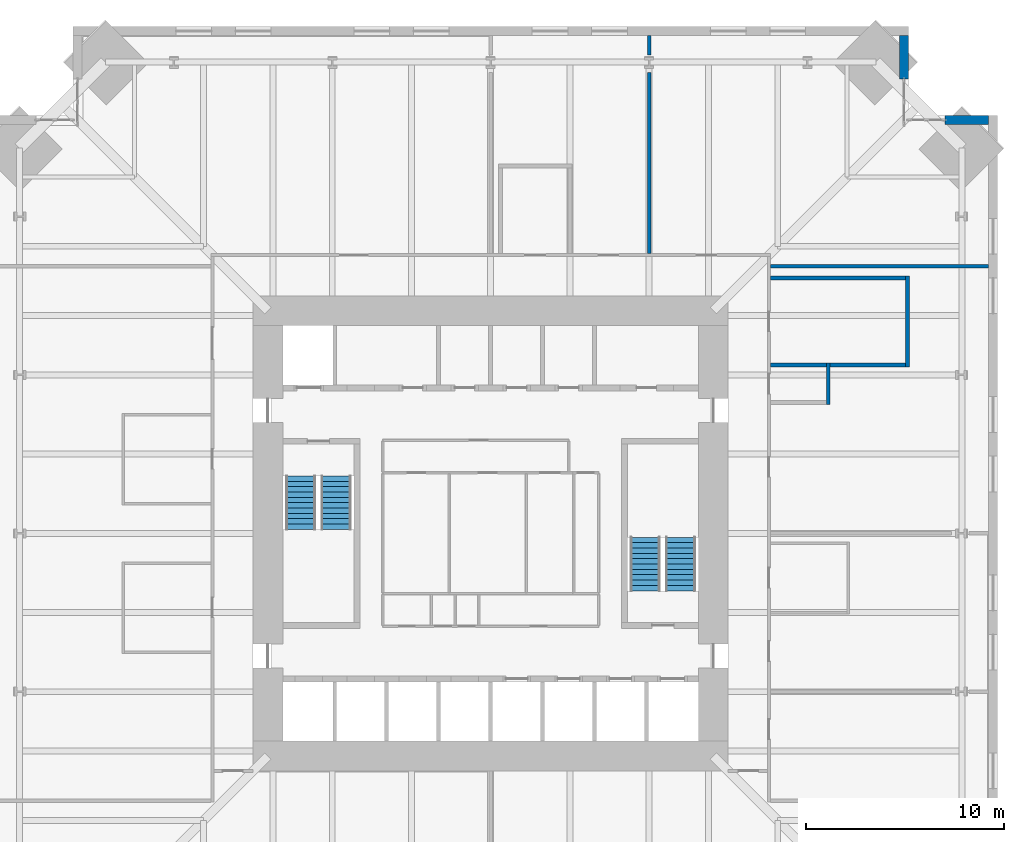
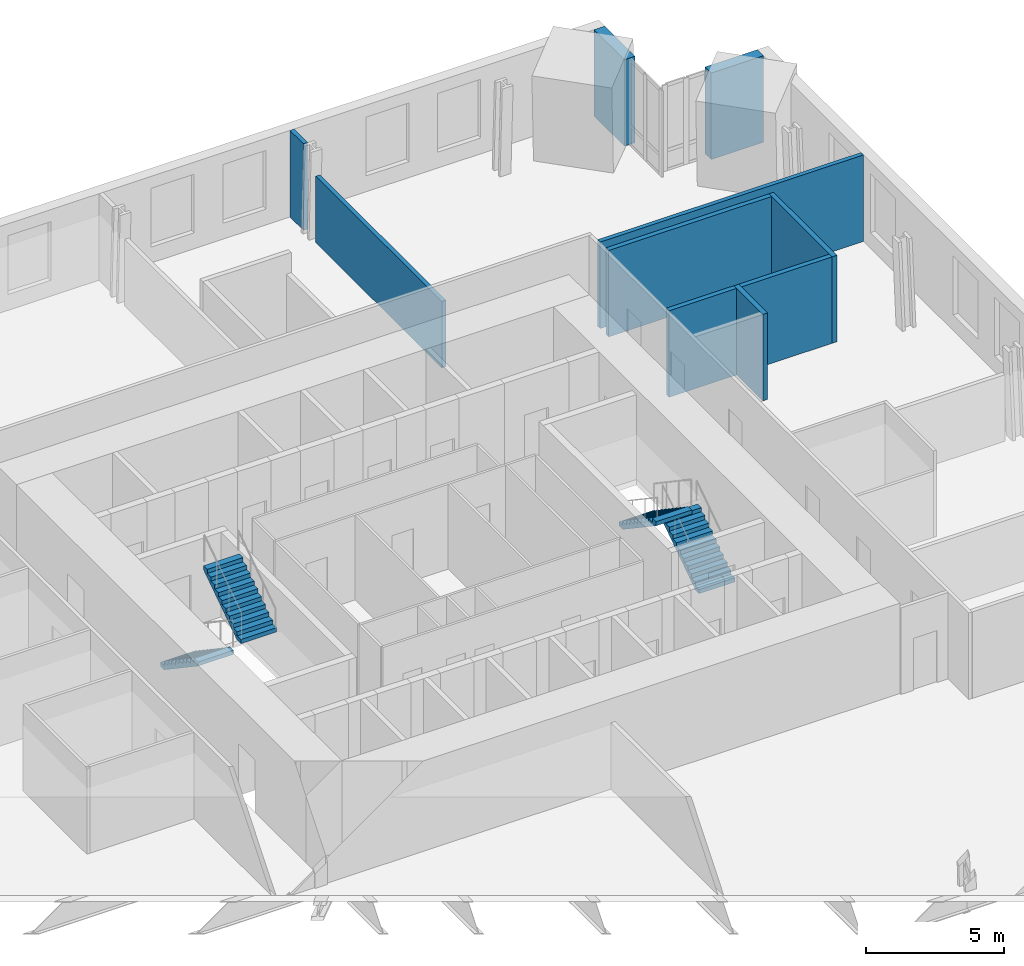
# One storey, part 17 of 18: 9 walls, 4 stair flights, 2 elements without a shape of their own.
"""IFC4 building model written with IfcOpenShell, lengths in metres."""

from ifc_helpers import new_model, si_unit, direction, frame, frame_2d, origin, place, context, subcontext, project, spatial, polyline, rectangle, outline, extrude, material, layer, layer_set, type_object, element, aggregate, save


model = new_model("IFC4")

# Units and contexts
model_context = context("Model", 3, precision=1e-05, world=origin(), true_north=direction((0.0, 1.0)))
body_context = subcontext(model_context, "Body", "Model", "MODEL_VIEW")
ifc_project = project(units=[si_unit("LENGTHUNIT", "METRE"), si_unit("AREAUNIT", "SQUARE_METRE"), si_unit("VOLUMEUNIT", "CUBIC_METRE"), si_unit("PLANEANGLEUNIT", "RADIAN"), si_unit("MASSUNIT", "GRAM", prefix="KILO")], contexts=[model_context])

# Site, building, storey
site_placement = place(None, origin())
site = spatial("IfcSite", under=ifc_project, at=site_placement, CompositionType="ELEMENT")
building_placement = place(site_placement, origin())
building = spatial("IfcBuilding", under=site, at=building_placement, Name="Peilmerk Tower", CompositionType="ELEMENT")
storey_placement = place(building_placement, frame((0.0, 0.0, 175.800048828125)))
storey = spatial("IfcBuildingStorey", under=building, at=storey_placement, Name="L37", CompositionType="ELEMENT", Elevation=175.800048828125)

# Walls
ifc_material_1 = material(Name="Precast concrete C45/55, board-marked finish", Category="concrete")
ifc_layer_1 = layer(ifc_material_1, 0.449951171875)
ifc_layer_set_1 = layer_set([ifc_layer_1], Name="Precast concrete C45/55, board-marked finish")
wall_type_1 = type_object("IfcWallType", Name="EW1 450 precast concrete facade wall, board-marked", PredefinedType="SOLIDWALL", material=ifc_layer_set_1)
for number, where, z_axis, x_axis, name in (
    (1, (20.875, 22.95361328125, 0.0), (0.0, 0.0, 1.0), (0.0, 1.0, 0.0), "Facade wall NEA L37"),
    (2, (22.95361328125, 20.875, 0.0), (0.0, 0.0, 1.0), (1.0, 0.0, 0.0), "Facade wall NEB L37"),
):
    element("IfcWall", number, at=place(storey_placement, frame(where, z_axis=z_axis, x_axis=x_axis)), inside=storey, type_object=wall_type_1, Name=name, PredefinedType="SOLIDWALL", context=body_context, shape_type="SweptSolid", body=[
        extrude(rectangle(XDim=2.1962890625, YDim=0.449951171875, at=frame_2d((1.09814453125, 0.0))), origin(), (0.0, 0.0, 1.0), 3.829833984375),
    ])
ifc_material_2 = material(Name="Calcium silicate block", Category="masonry")
ifc_layer_2 = layer(ifc_material_2, 0.199951171875)
ifc_layer_set_2 = layer_set([ifc_layer_2], Name="Calcium silicate block")
wall_type_2 = type_object("IfcWallType", Name="IW2 200 room separating wall, EI 120", PredefinedType="PARTITIONING", material=ifc_layer_set_2)
wall_1_placement = place(storey_placement, frame((17.050048828125, 6.5, 0.0), z_axis=(0.0, 0.0, 1.0), x_axis=(0.0, 1.0, 0.0)))
element("IfcWall", 3, at=wall_1_placement, inside=storey, type_object=wall_type_2, Name="Room separating wall Ablution room L37", PredefinedType="PARTITIONING", context=body_context, shape_type="SweptSolid", body=[
    extrude(rectangle(XDim=2.10009765625, YDim=0.199951171875, at=frame_2d((1.050048828125, 0.0))), origin(), (0.0, 0.0, 1.0), 3.829833984375),
])
wall_2_placement = place(storey_placement, frame((21.050048828125, 8.39990234375, 0.0), z_axis=(0.0, 0.0, 1.0), x_axis=(0.0, 1.0, 0.0)))
element("IfcWall", 4, at=wall_2_placement, inside=storey, type_object=wall_type_2, Name="Room separating wall Prayer room L37", PredefinedType="PARTITIONING", context=body_context, shape_type="SweptSolid", body=[
    extrude(rectangle(XDim=4.60009765625, YDim=0.199951171875, at=frame_2d((2.300048828125, 0.0))), origin(), (0.0, 0.0, 1.0), 3.829833984375),
])
for number, where, z_axis, x_axis, name in (
    (5, (14.125, 8.5, 0.0), (0.0, 0.0, 1.0), (1.0, 0.0, 0.0), "Room separating wall Prayer room L37"),
    (6, (14.125, 12.89990234375, 0.0), (0.0, 0.0, 1.0), (1.0, 0.0, 0.0), "Room separating wall Prayer room L37"),
):
    element("IfcWall", number, at=place(storey_placement, frame(where, z_axis=z_axis, x_axis=x_axis)), inside=storey, type_object=wall_type_2, Name=name, PredefinedType="PARTITIONING", context=body_context, shape_type="SweptSolid", body=[
        extrude(rectangle(XDim=6.824951171875, YDim=0.199951171875, at=frame_2d((3.41259765625, 0.0))), origin(), (0.0, 0.0, 1.0), 3.829833984375),
    ])
ifc_layer_3 = layer(ifc_material_2, 0.175048828125)
ifc_layer_set_3 = layer_set([ifc_layer_3], Name="Calcium silicate block")
wall_type_3 = type_object("IfcWallType", Name="IW8 175 tenant separating wall, EI 60", PredefinedType="PARTITIONING", material=ifc_layer_set_3)
wall_3_placement = place(storey_placement, frame((14.125, 13.5, 0.0), z_axis=(0.0, 0.0, 1.0), x_axis=(1.0, 0.0, 0.0)))
element("IfcWall", 7, at=wall_3_placement, inside=storey, type_object=wall_type_3, Name="Tenant separating wall NE L37", PredefinedType="PARTITIONING", context=body_context, shape_type="SweptSolid", body=[
    extrude(rectangle(XDim=11.02490234375, YDim=0.175048828125, at=frame_2d((5.512451171875, 0.0))), origin(), (0.0, 0.0, 1.0), 3.829833984375),
])
wall_4_placement = place(storey_placement, frame((8.0, 14.125, 0.0), z_axis=(0.0, 0.0, 1.0), x_axis=(0.0, 1.0, 0.0)))
element("IfcWall", 8, at=wall_4_placement, inside=storey, type_object=wall_type_3, Name="Tenant separating wall N2 L37", PredefinedType="PARTITIONING", context=body_context, shape_type="SweptSolid", body=[
    extrude(rectangle(XDim=9.15771484375, YDim=0.175048828125, at=frame_2d((4.578857421875, 0.0))), origin(), (0.0, 0.0, 1.0), 2.93994140625),
])
wall_5_placement = place(storey_placement, frame((8.0, 24.172119140625, 0.0), z_axis=(0.0, 0.0, 1.0), x_axis=(0.0, 1.0, 0.0)))
element("IfcWall", 9, at=wall_5_placement, inside=storey, type_object=wall_type_3, Name="Tenant separating wall N2b L37", PredefinedType="PARTITIONING", context=body_context, shape_type="SweptSolid", body=[
    extrude(rectangle(XDim=0.977783203125, YDim=0.175048828125, at=frame_2d((0.48876953125, 0.0))), origin(), (0.0, 0.0, 1.0), 3.829833984375),
])

# Stair, stair flights
ifc_material_3 = material(Name="Precast concrete C45/55", Category="concrete")
stair_type_1 = type_object("IfcStairType", Name="ST1 22 risers of 181.8", PredefinedType="HALF_TURN_STAIR", material=ifc_material_3)
stair_1_placement = place(storey_placement, origin())
stair_1 = element("IfcStair", 10, at=stair_1_placement, inside=storey, type_object=stair_type_1, Name="Stair 1 L37 to L38", PredefinedType="HALF_TURN_STAIR")
stair_flight_type = type_object("IfcStairFlightType", Name="SF11 flight, 11 risers of 181.8", PredefinedType="STRAIGHT", material=ifc_material_3)
stair_flight_1_placement = place(storey_placement, frame((-9.60009765625, 2.89990234375, 0.0), z_axis=(0.0, 0.0, 1.0), x_axis=(0.0, -1.0, 0.0)))
stair_flight_1 = element("IfcStairFlight", 11, at=stair_flight_1_placement, type_object=stair_flight_type, Name="ST1 flight 1", NumberOfRisers=11, NumberOfTreads=10, PredefinedType="STRAIGHT", RiserHeight=0.181818182, TreadLength=0.27, context=body_context, shape_type="SweptSolid", body=[
    extrude(outline(polyline([(0.0, 0.0), (0.0, 0.181884765625), (0.27001953125, 0.181884765625), (0.27001953125, 0.363525390625), (0.5400390625, 0.363525390625), (0.5400390625, 0.54541015625), (0.81005859375, 0.54541015625), (0.81005859375, 0.727294921875), (1.080078125, 0.727294921875), (1.080078125, 0.9091796875), (1.35009765625, 0.9091796875), (1.35009765625, 1.0908203125), (1.6201171875, 1.0908203125), (1.6201171875, 1.272705078125), (1.889892578125, 1.272705078125), (1.889892578125, 1.45458984375), (2.159912109375, 1.45458984375), (2.159912109375, 1.636474609375), (2.429931640625, 1.636474609375), (2.429931640625, 1.818115234375), (2.699951171875, 1.818115234375), (2.699951171875, 2.0), (2.699951171875, 1.637451171875), (0.268310546875, 0.0), (0.0, 0.0)])), frame((0.0, 0.75, 0.0), z_axis=(0.0, -1.0, 0.0), x_axis=(1.0, 0.0, 0.0)), (0.0, 0.0, 1.0), 1.5),
])
stair_flight_2_placement = place(storey_placement, frame((-7.800048828125, 0.199951171875, 2.0), z_axis=(0.0, 0.0, 1.0), x_axis=(0.0, 1.0, 0.0)))
stair_flight_2 = element("IfcStairFlight", 12, at=stair_flight_2_placement, type_object=stair_flight_type, Name="ST1 flight 2", NumberOfRisers=11, NumberOfTreads=10, PredefinedType="STRAIGHT", RiserHeight=0.181818182, TreadLength=0.27, context=body_context, shape_type="SweptSolid", body=[
    extrude(outline(polyline([(0.0, 0.0), (0.0, 0.181884765625), (0.27001953125, 0.181884765625), (0.27001953125, 0.363525390625), (0.5400390625, 0.363525390625), (0.5400390625, 0.54541015625), (0.81005859375, 0.54541015625), (0.81005859375, 0.727294921875), (1.080078125, 0.727294921875), (1.080078125, 0.9091796875), (1.35009765625, 0.9091796875), (1.35009765625, 1.0908203125), (1.6201171875, 1.0908203125), (1.6201171875, 1.272705078125), (1.889892578125, 1.272705078125), (1.889892578125, 1.45458984375), (2.159912109375, 1.45458984375), (2.159912109375, 1.636474609375), (2.429931640625, 1.636474609375), (2.429931640625, 1.818115234375), (2.699951171875, 1.818115234375), (2.699951171875, 2.0), (2.699951171875, 1.637451171875), (0.268310546875, 0.0), (0.0, 0.0)])), frame((0.0, 0.75, 0.0), z_axis=(0.0, -1.0, 0.0), x_axis=(1.0, 0.0, 0.0)), (0.0, 0.0, 1.0), 1.5),
])
aggregate(stair_1, [stair_flight_1, stair_flight_2])

stair_type_2 = type_object("IfcStairType", Name="ST2 22 risers of 181.8", PredefinedType="HALF_TURN_STAIR", material=ifc_material_3)
stair_2_placement = place(storey_placement, origin())
stair_2 = element("IfcStair", 13, at=stair_2_placement, inside=storey, type_object=stair_type_2, Name="Stair 2 L37 to L38", PredefinedType="HALF_TURN_STAIR")
stair_flight_3_placement = place(storey_placement, frame((9.60009765625, -2.89990234375, 0.0), z_axis=(0.0, 0.0, 1.0), x_axis=(0.0, 1.0, 0.0)))
stair_flight_3 = element("IfcStairFlight", 14, at=stair_flight_3_placement, type_object=stair_flight_type, Name="ST2 flight 1", NumberOfRisers=11, NumberOfTreads=10, PredefinedType="STRAIGHT", RiserHeight=0.181818182, TreadLength=0.27, context=body_context, shape_type="SweptSolid", body=[
    extrude(outline(polyline([(0.0, 0.0), (0.0, 0.181884765625), (0.27001953125, 0.181884765625), (0.27001953125, 0.363525390625), (0.5400390625, 0.363525390625), (0.5400390625, 0.54541015625), (0.81005859375, 0.54541015625), (0.81005859375, 0.727294921875), (1.080078125, 0.727294921875), (1.080078125, 0.9091796875), (1.35009765625, 0.9091796875), (1.35009765625, 1.0908203125), (1.6201171875, 1.0908203125), (1.6201171875, 1.272705078125), (1.889892578125, 1.272705078125), (1.889892578125, 1.45458984375), (2.159912109375, 1.45458984375), (2.159912109375, 1.636474609375), (2.429931640625, 1.636474609375), (2.429931640625, 1.818115234375), (2.699951171875, 1.818115234375), (2.699951171875, 2.0), (2.699951171875, 1.637451171875), (0.268310546875, 0.0), (0.0, 0.0)])), frame((0.0, 0.75, 0.0), z_axis=(0.0, -1.0, 0.0), x_axis=(1.0, 0.0, 0.0)), (0.0, 0.0, 1.0), 1.5),
])
stair_flight_4_placement = place(storey_placement, frame((7.800048828125, -0.199951171875, 2.0), z_axis=(0.0, 0.0, 1.0), x_axis=(0.0, -1.0, 0.0)))
stair_flight_4 = element("IfcStairFlight", 15, at=stair_flight_4_placement, type_object=stair_flight_type, Name="ST2 flight 2", NumberOfRisers=11, NumberOfTreads=10, PredefinedType="STRAIGHT", RiserHeight=0.181818182, TreadLength=0.27, context=body_context, shape_type="SweptSolid", body=[
    extrude(outline(polyline([(0.0, 0.0), (0.0, 0.181884765625), (0.27001953125, 0.181884765625), (0.27001953125, 0.363525390625), (0.5400390625, 0.363525390625), (0.5400390625, 0.54541015625), (0.81005859375, 0.54541015625), (0.81005859375, 0.727294921875), (1.080078125, 0.727294921875), (1.080078125, 0.9091796875), (1.35009765625, 0.9091796875), (1.35009765625, 1.0908203125), (1.6201171875, 1.0908203125), (1.6201171875, 1.272705078125), (1.889892578125, 1.272705078125), (1.889892578125, 1.45458984375), (2.159912109375, 1.45458984375), (2.159912109375, 1.636474609375), (2.429931640625, 1.636474609375), (2.429931640625, 1.818115234375), (2.699951171875, 1.818115234375), (2.699951171875, 2.0), (2.699951171875, 1.637451171875), (0.268310546875, 0.0), (0.0, 0.0)])), frame((0.0, 0.75, 0.0), z_axis=(0.0, -1.0, 0.0), x_axis=(1.0, 0.0, 0.0)), (0.0, 0.0, 1.0), 1.5),
])
aggregate(stair_2, [stair_flight_3, stair_flight_4])

save(model, "model.ifc")
